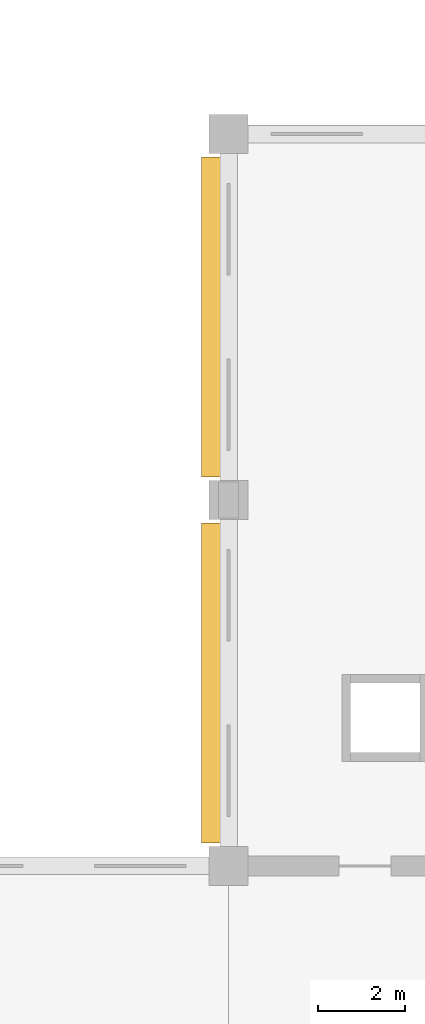
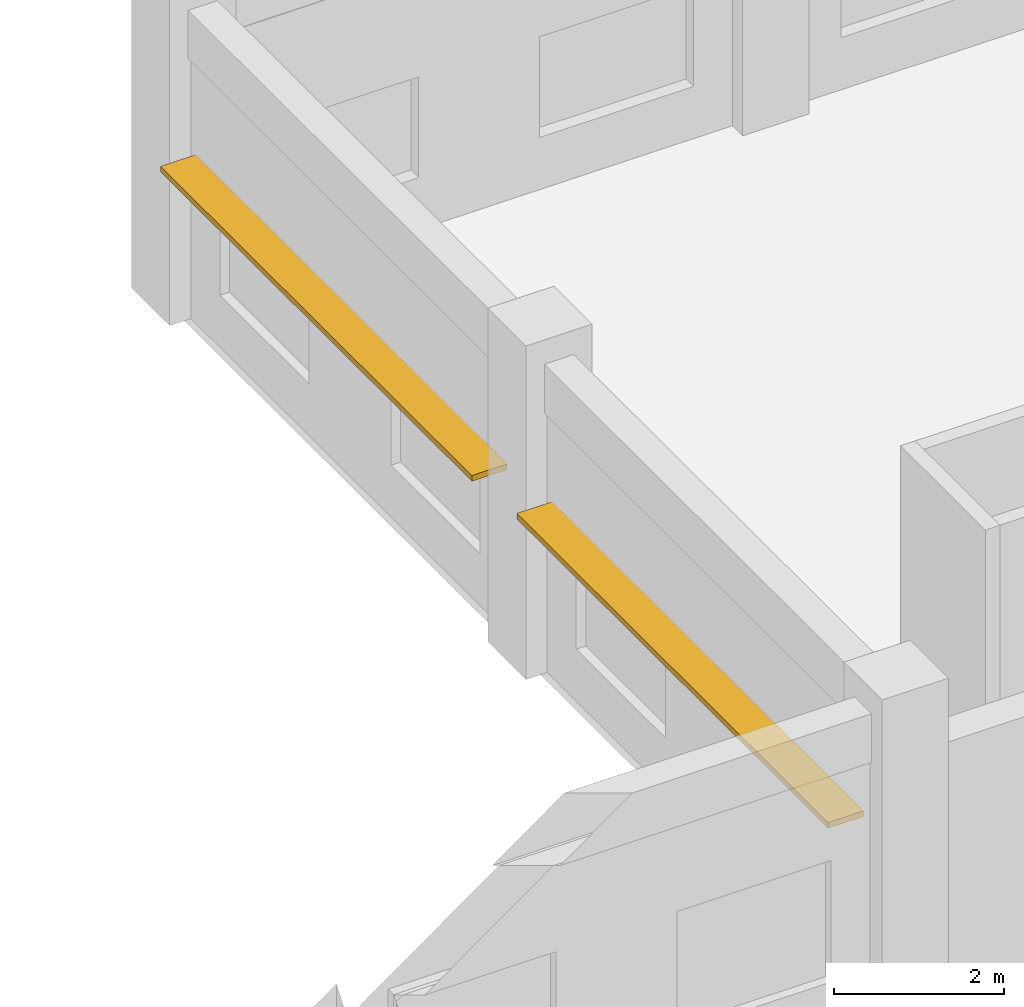
# One storey, part 76 of 79: 2 shading devices.
"""IFC4 building model written with IfcOpenShell, lengths in metres."""

from ifc_helpers import new_model, si_unit, direction, frame, origin, origin_2d, place, context, subcontext, project, spatial, rectangle, extrude, material, layer, layer_set, type_object, element, save


model = new_model("IFC4")

# Units and contexts
model_context = context("Model", 3, precision=1e-05, world=origin(), true_north=direction((0.0, 1.0)))
body_context = subcontext(model_context, "Body", "Model", "MODEL_VIEW")
ifc_project = project(units=[si_unit("LENGTHUNIT", "METRE"), si_unit("AREAUNIT", "SQUARE_METRE"), si_unit("VOLUMEUNIT", "CUBIC_METRE"), si_unit("PLANEANGLEUNIT", "RADIAN"), si_unit("MASSUNIT", "GRAM", prefix="KILO"), si_unit("THERMODYNAMICTEMPERATUREUNIT", "KELVIN"), si_unit("POWERUNIT", "WATT")], contexts=[model_context])

# Site, building, storey
site_placement = place(None, origin())
site = spatial("IfcSite", under=ifc_project, at=site_placement, CompositionType="ELEMENT")
building_placement = place(site_placement, origin())
building = spatial("IfcBuilding", under=site, at=building_placement, Name="Srebrne Nadtorze General Hospital", CompositionType="ELEMENT")
storey_placement = place(building_placement, frame((0.0, 0.0, 4.800048828125)))
storey = spatial("IfcBuildingStorey", under=building, at=storey_placement, Name="L01", CompositionType="ELEMENT", Elevation=4.800048828125)

# Shading devices
ifc_material = material(Name="Anodised Aluminium", Category="aluminium")
ifc_layer = layer(ifc_material, 0.080078125)
ifc_layer_set = layer_set([ifc_layer], Name="Anodised Aluminium")
shading_device_type = type_object("IfcShadingDeviceType", Name="Hisashi horizontal aluminium sunshade", PredefinedType="JALOUSIE", material=ifc_layer_set)
for number, where, z_axis, x_axis, name in (
    (1, (101.02001953125, 96.60009765625, 2.419921875), (0.0, 0.0, 1.0), (1.0, 0.0, 0.0), "Hisashi horizontal sunshade eave LV-110"),
    (2, (101.02001953125, 105.0, 2.31982421875), (0.0, 0.0, 1.0), (1.0, 0.0, 0.0), "Hisashi horizontal sunshade eave LV-111"),
):
    element("IfcShadingDevice", number, at=place(storey_placement, frame(where, z_axis=z_axis, x_axis=x_axis)), inside=storey, type_object=shading_device_type, Name=name, PredefinedType="JALOUSIE", context=body_context, shape_type="SweptSolid", body=[
        extrude(rectangle(XDim=0.47998046875, YDim=7.340087890625, at=origin_2d()), origin(), (0.0, 0.0, 1.0), 0.080078125),
    ])

save(model, "model.ifc")
